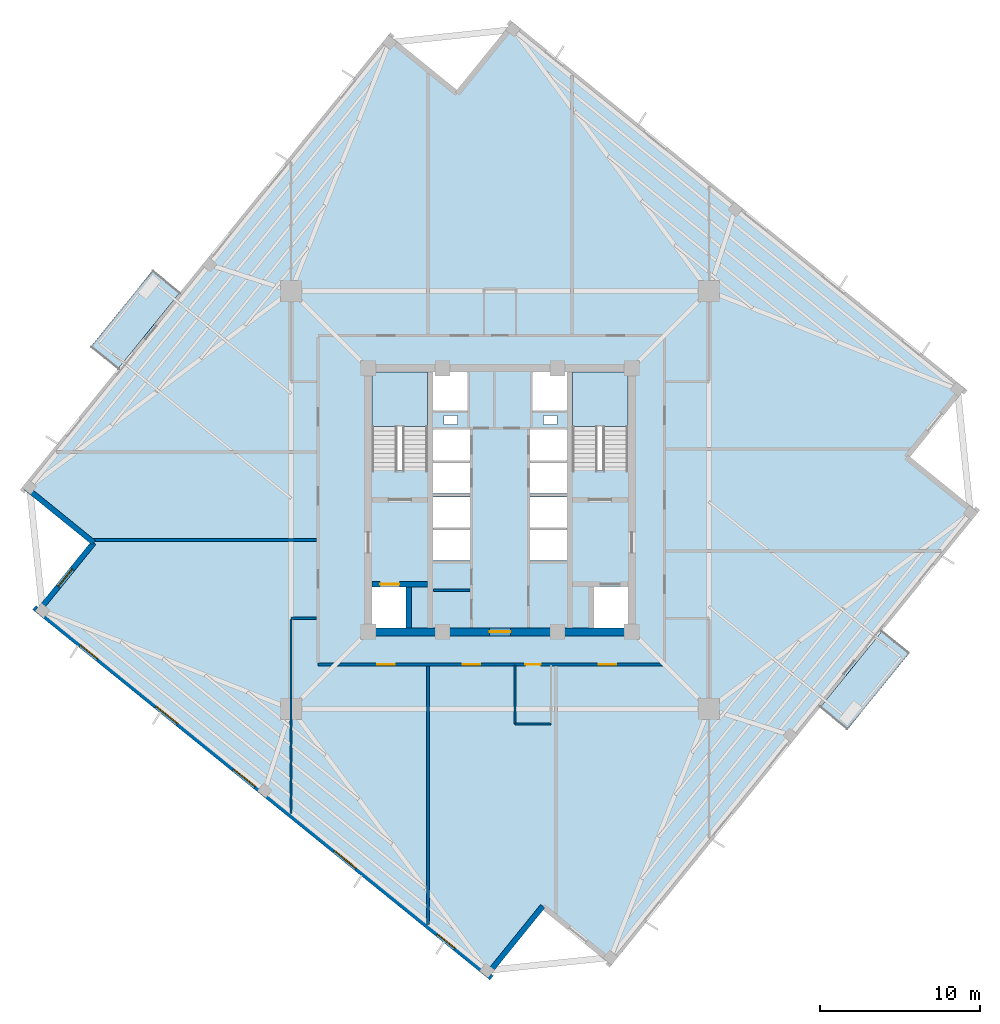
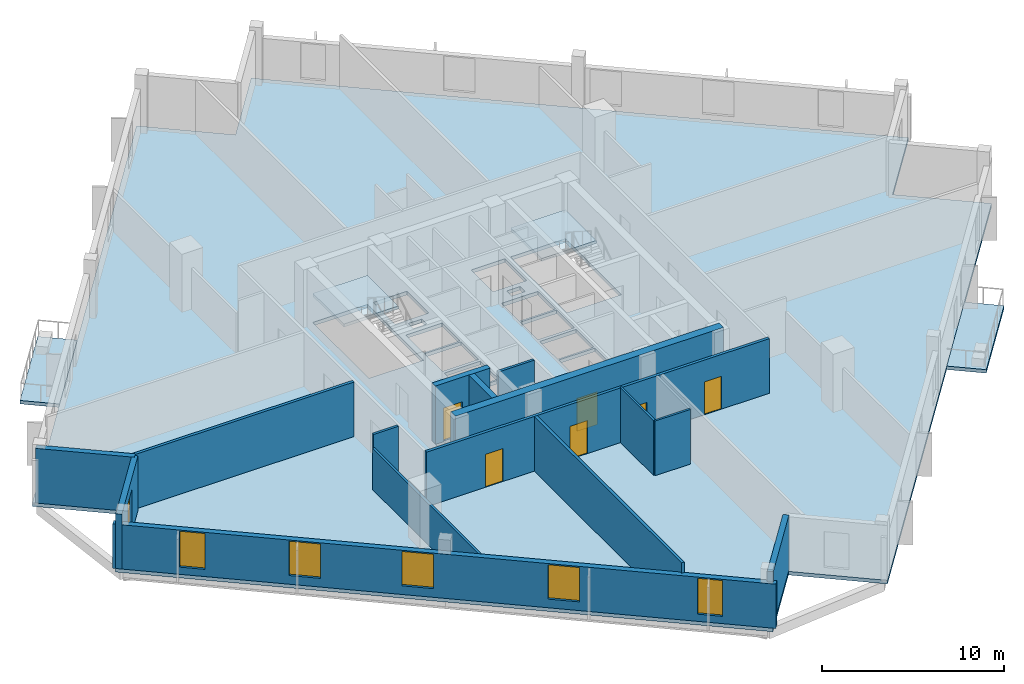
# One storey, part 2 of 9: 15 walls, 6 doors, 6 windows, 5 slabs, 12 openings, 2 elements without a shape of their own.
"""IFC4 building model written with IfcOpenShell, lengths in metres."""

from ifc_helpers import new_model, si_unit, direction, frame, frame_2d, origin, place, context, subcontext, project, spatial, polyline, rectangle, outline, extrude, source, transform, mapped, material, layer, layer_set, type_object, element, fill, aggregate, save


model = new_model("IFC4")

# Units and contexts
model_context = context("Model", 3, precision=1e-05, world=origin(), true_north=direction((0.0, 1.0)))
body_context = subcontext(model_context, "Body", "Model", "MODEL_VIEW")
ifc_project = project(units=[si_unit("LENGTHUNIT", "METRE"), si_unit("AREAUNIT", "SQUARE_METRE"), si_unit("VOLUMEUNIT", "CUBIC_METRE"), si_unit("PLANEANGLEUNIT", "RADIAN"), si_unit("MASSUNIT", "GRAM", prefix="KILO"), si_unit("THERMODYNAMICTEMPERATUREUNIT", "KELVIN")], contexts=[model_context])

# Site, building, storey
site_placement = place(None, origin())
site = spatial("IfcSite", under=ifc_project, at=site_placement, CompositionType="ELEMENT")
building_placement = place(site_placement, origin())
building = spatial("IfcBuilding", under=site, at=building_placement, Name="Kosmvard Interchange Tower", CompositionType="ELEMENT")
storey_placement = place(building_placement, frame((0.0, 0.0, 232.89990234375)))
storey = spatial("IfcBuildingStorey", under=building, at=storey_placement, Name="L56", CompositionType="ELEMENT", Elevation=232.89990234375)

# Slab
ifc_material_1 = material(Name="Concrete C50/60", Category="concrete")
ifc_layer_1 = layer(ifc_material_1, 0.239990234375, Name="Concrete C50/60")
ifc_layer_set_1 = layer_set([ifc_layer_1], Name="Concrete C50/60")
slab_type_1 = type_object("IfcSlabType", Name="High-Rise Suite Composite Slab 240 C50/60", PredefinedType="FLOOR", material=ifc_layer_set_1)
slab_1_placement = place(storey_placement, frame((0.0, 0.0, -0.239990234375)))
element("IfcSlab", 1, at=slab_1_placement, inside=storey, type_object=slab_type_1, Name="L56 Structural Floor Slab", PredefinedType="FLOOR", context=body_context, shape_type="SweptSolid", body=[
    extrude(outline(polyline([(6.97216796875, -29.12939453125), (29.9423828125, -0.763427734375), (25.66796875, 2.69775390625), (29.12939453125, 6.97216796875), (0.763427734375, 29.9423828125), (-2.69775390625, 25.66796875), (-6.97216796875, 29.12939453125), (-29.9423828125, 0.763427734375), (-25.66796875, -2.69775390625), (-29.12939453125, -6.97216796875), (-0.763427734375, -29.9423828125), (2.69775390625, -25.66796875), (6.97216796875, -29.12939453125)]), holes=[polyline([(-8.0, 1.8349609375), (-4.5400390625, 1.8349609375), (-4.5400390625, 8.0), (-8.0, 8.0), (-8.0, 1.8349609375)]), polyline([(4.5400390625, 1.8349609375), (8.0, 1.8349609375), (8.0, 8.0), (4.5400390625, 8.0), (4.5400390625, 1.8349609375)]), polyline([(-8.0, -8.0), (-5.800048828125, -8.0), (-5.800048828125, -5.39990234375), (-8.0, -5.39990234375), (-8.0, -8.0)]), polyline([(5.800048828125, -8.0), (8.0, -8.0), (8.0, -5.39990234375), (5.800048828125, -5.39990234375), (5.800048828125, -8.0)]), polyline([(-4.179931640625, -3.800048828125), (-1.8798828125, -3.800048828125), (-1.8798828125, -1.860107421875), (-4.179931640625, -1.860107421875), (-4.179931640625, -3.800048828125)]), polyline([(-4.179931640625, -1.739990234375), (-1.8798828125, -1.739990234375), (-1.8798828125, 0.199951171875), (-4.179931640625, 0.199951171875), (-4.179931640625, -1.739990234375)]), polyline([(1.8798828125, -3.800048828125), (4.179931640625, -3.800048828125), (4.179931640625, -1.860107421875), (1.8798828125, -1.860107421875), (1.8798828125, -3.800048828125)]), polyline([(1.8798828125, -1.739990234375), (4.179931640625, -1.739990234375), (4.179931640625, 0.199951171875), (1.8798828125, 0.199951171875), (1.8798828125, -1.739990234375)]), polyline([(-4.179931640625, 0.39990234375), (-1.8798828125, 0.39990234375), (-1.8798828125, 2.340087890625), (-4.179931640625, 2.340087890625), (-4.179931640625, 0.39990234375)]), polyline([(-4.179931640625, 2.4599609375), (-1.8798828125, 2.4599609375), (-1.8798828125, 4.39990234375), (-4.179931640625, 4.39990234375), (-4.179931640625, 2.4599609375)]), polyline([(1.8798828125, 0.39990234375), (4.179931640625, 0.39990234375), (4.179931640625, 2.340087890625), (1.8798828125, 2.340087890625), (1.8798828125, 0.39990234375)]), polyline([(1.8798828125, 2.4599609375), (4.179931640625, 2.4599609375), (4.179931640625, 4.39990234375), (1.8798828125, 4.39990234375), (1.8798828125, 2.4599609375)]), polyline([(-4.179931640625, 5.60009765625), (-2.0400390625, 5.60009765625), (-2.0400390625, 8.0), (-4.179931640625, 8.0), (-4.179931640625, 5.60009765625)]), polyline([(2.0400390625, 5.60009765625), (4.179931640625, 5.60009765625), (4.179931640625, 8.0), (2.0400390625, 8.0), (2.0400390625, 5.60009765625)]), polyline([(-3.514892578125, 4.739990234375), (-2.6650390625, 4.739990234375), (-2.6650390625, 5.2900390625), (-3.514892578125, 5.2900390625), (-3.514892578125, 4.739990234375)]), polyline([(2.715087890625, 4.739990234375), (3.56494140625, 4.739990234375), (3.56494140625, 5.2900390625), (2.715087890625, 5.2900390625), (2.715087890625, 4.739990234375)])]), origin(), (0.0, 0.0, 1.0), 0.239990234375),
])

# Stair, slab
stair_type = type_object("IfcStairType", Name="Dog-Leg Core Exit Stair H3900 C50/60", PredefinedType="HALF_TURN_STAIR", material=ifc_material_1)
stair_1_placement = place(storey_placement, origin())
stair_1 = element("IfcStair", 2, at=stair_1_placement, inside=storey, type_object=stair_type, Name="L56 Protected Exit Stair ST-1", PredefinedType="HALF_TURN_STAIR")
ifc_layer_2 = layer(ifc_material_1, 0.199951171875, Name="Concrete C50/60")
ifc_layer_set_2 = layer_set([ifc_layer_2], Name="Concrete C50/60")
slab_type_2 = type_object("IfcSlabType", Name="Stair Half-Landing Slab 200 C50/60", PredefinedType="LANDING", material=ifc_layer_set_2)
slab_2_placement = place(storey_placement, frame((0.0, 0.0, 1.75)))
slab_2 = element("IfcSlab", 3, at=slab_2_placement, type_object=slab_type_2, Name="ST-1 landing 1", PredefinedType="LANDING", context=body_context, shape_type="SweptSolid", body=[
    extrude(outline(polyline([(-4.5400390625, 4.60009765625), (-4.5400390625, 8.0), (-8.0, 8.0), (-8.0, 4.60009765625), (-4.5400390625, 4.60009765625)])), origin(), (0.0, 0.0, 1.0), 0.2001953125),
])
aggregate(stair_1, [slab_2])

stair_2_placement = place(storey_placement, origin())
stair_2 = element("IfcStair", 4, at=stair_2_placement, inside=storey, type_object=stair_type, Name="L56 Protected Exit Stair ST-2", PredefinedType="HALF_TURN_STAIR")
slab_3_placement = place(storey_placement, frame((0.0, 0.0, 1.75)))
slab_3 = element("IfcSlab", 5, at=slab_3_placement, type_object=slab_type_2, Name="ST-2 landing 1", PredefinedType="LANDING", context=body_context, shape_type="SweptSolid", body=[
    extrude(outline(polyline([(8.0, 4.60009765625), (8.0, 8.0), (4.5400390625, 8.0), (4.5400390625, 4.60009765625), (8.0, 4.60009765625)])), origin(), (0.0, 0.0, 1.0), 0.2001953125),
])
aggregate(stair_2, [slab_3])

# Slabs
ifc_layer_3 = layer(ifc_material_1, 0.22998046875, Name="Concrete C50/60")
ifc_layer_set_3 = layer_set([ifc_layer_3], Name="Concrete C50/60")
slab_type_3 = type_object("IfcSlabType", Name="Tree-Planter Cantilever Balcony Slab 230 C50/60", PredefinedType="FLOOR", material=ifc_layer_set_3)
slab_4_placement = place(storey_placement, frame((0.0, 0.0, -0.22998046875)))
element("IfcSlab", 6, at=slab_4_placement, inside=storey, type_object=slab_type_3, Name="L56 Outdoor Terrace Balcony Slab BAL-L56-NE", PredefinedType="FLOOR", context=body_context, shape_type="SweptSolid", body=[
    extrude(outline(polyline([(-23.932373046875, 8.185302734375), (-20.030517578125, 13.00341796875), (-21.740234375, 14.387939453125), (-25.64208984375, 9.569580078125), (-23.932373046875, 8.185302734375)])), origin(), (0.0, 0.0, 1.0), 0.22998046875),
])
slab_5_placement = place(storey_placement, frame((0.0, 0.0, -0.22998046875)))
element("IfcSlab", 7, at=slab_5_placement, inside=storey, type_object=slab_type_3, Name="L56 Outdoor Terrace Balcony Slab BAL-L56-SW", PredefinedType="FLOOR", context=body_context, shape_type="SweptSolid", body=[
    extrude(outline(polyline([(21.740234375, -14.387939453125), (25.64208984375, -9.569580078125), (23.932373046875, -8.185302734375), (20.030517578125, -13.00341796875), (21.740234375, -14.387939453125)])), origin(), (0.0, 0.0, 1.0), 0.22998046875),
])

# Walls
ifc_material_2 = material(Name="Acoustic gypsum partition system")
ifc_layer_4 = layer(ifc_material_2, 0.14990234375, Name="Acoustic gypsum partition system")
ifc_layer_set_4 = layer_set([ifc_layer_4], Name="Acoustic gypsum partition system")
wall_type_1 = type_object("IfcWallType", Name="Acoustic Suite & Meeting Partition 150", PredefinedType="PARTITIONING", material=ifc_layer_set_4)
wall_1_placement = place(storey_placement, frame((-11.4951171875, -7.39990234375, 0.0), z_axis=(0.0, 0.0, 1.0), x_axis=(-1.0, 0.0, 0.0)))
element("IfcWall", 8, at=wall_1_placement, inside=storey, type_object=wall_type_1, Name="L56 Room Partition 15.1", PredefinedType="PARTITIONING", context=body_context, shape_type="SweptSolid", body=[
    extrude(rectangle(XDim=1.5859375, YDim=0.14990234375, at=frame_2d((0.79296875, 0.0))), origin(), (0.0, 0.0, 1.0), 3.66015625),
])
wall_2_placement = place(storey_placement, frame((-13.0810546875, -7.47509765625, 0.0), z_axis=(0.0, 0.0, 1.0), x_axis=(0.0, -1.0, 0.0)))
element("IfcWall", 9, at=wall_2_placement, inside=storey, type_object=wall_type_1, Name="L56 Room Partition 16.1", PredefinedType="PARTITIONING", context=body_context, shape_type="SweptSolid", body=[
    extrude(rectangle(XDim=12.138916015625, YDim=0.14990234375, at=frame_2d((6.0693359375, 0.0))), origin(), (0.0, 0.0, 1.0), 2.760009765625),
])
ifc_material_3 = material(Name="Fire-rated gypsum partition system")
ifc_layer_5 = layer(ifc_material_3, 0.159912109375, Name="Fire-rated gypsum partition system")
ifc_layer_set_5 = layer_set([ifc_layer_5], Name="Fire-rated gypsum partition system")
wall_type_2 = type_object("IfcWallType", Name="Core Compartment & Shuttle Lobby Partition 160", PredefinedType="PARTITIONING", material=ifc_layer_set_5)
wall_3_placement = place(storey_placement, frame((-4.169921875, -5.64990234375, 0.0), z_axis=(0.0, 0.0, 1.0), x_axis=(1.0, 0.0, 0.0)))
element("IfcWall", 10, at=wall_3_placement, inside=storey, type_object=wall_type_2, Name="L56 Reclaimed Split W", PredefinedType="PARTITIONING", context=body_context, shape_type="SweptSolid", body=[
    extrude(rectangle(XDim=2.280029296875, YDim=0.159912109375, at=frame_2d((1.14013671875, 0.0))), origin(), (0.0, 0.0, 1.0), 3.66015625),
])

# Wall, openings, doors
ifc_layer_6 = layer(ifc_material_3, 0.179931640625, Name="Fire-rated gypsum partition system")
ifc_layer_set_6 = layer_set([ifc_layer_6], Name="Fire-rated gypsum partition system")
wall_type_3 = type_object("IfcWallType", Name="Corridor & Hotel Compartment Partition 180", PredefinedType="PARTITIONING", material=ifc_layer_set_6)
wall_4_placement = place(storey_placement, frame((-11.39990234375, -10.300048828125, 0.0), z_axis=(0.0, 0.0, 1.0), x_axis=(1.0, 0.0, 0.0)))
wall_4 = element("IfcWall", 11, at=wall_4_placement, inside=storey, type_object=wall_type_3, Name="L56 Corridor Wall CS", PredefinedType="PARTITIONING", context=body_context, shape_type="SweptSolid", body=[
    extrude(rectangle(XDim=21.699951171875, YDim=0.179931640625, at=frame_2d((10.85009765625, 0.0))), origin(), (0.0, 0.0, 1.0), 3.66015625),
])
opening_1_placement = place(wall_4_placement, frame((12.989013671875, 0.0, 0.0)))
opening_1 = element("IfcOpeningElement", 12, at=opening_1_placement, cuts=wall_4, Name="Opening L56-D02", PredefinedType="OPENING", context=body_context, shape_type="SweptSolid", body=[
    extrude(rectangle(XDim=0.949951171875, YDim=2.10009765625, at=frame_2d((0.47509765625, 1.050048828125))), frame((0.0, 0.10009765625, 0.0), z_axis=(0.0, -1.0, 0.0), x_axis=(1.0, 0.0, 0.0)), (0.0, 0.0, 1.0), 0.199951171875),
])
opening_2_placement = place(wall_4_placement, frame((17.58544921875, 0.0, 0.0)))
opening_2 = element("IfcOpeningElement", 13, at=opening_2_placement, cuts=wall_4, Name="Opening L56-D10", PredefinedType="OPENING", context=body_context, shape_type="SweptSolid", body=[
    extrude(rectangle(XDim=1.10009765625, YDim=2.199951171875, at=frame_2d((0.550048828125, 1.10009765625))), frame((0.0, 0.10009765625, 0.0), z_axis=(0.0, -1.0, 0.0), x_axis=(1.0, 0.0, 0.0)), (0.0, 0.0, 1.0), 0.199951171875),
])
opening_3_placement = place(wall_4_placement, frame((9.075439453125, 0.0, 0.0)))
opening_3 = element("IfcOpeningElement", 14, at=opening_3_placement, cuts=wall_4, Name="Opening L56-D11", PredefinedType="OPENING", context=body_context, shape_type="SweptSolid", body=[
    extrude(rectangle(XDim=1.10009765625, YDim=2.199951171875, at=frame_2d((0.550048828125, 1.10009765625))), frame((0.0, 0.10009765625, 0.0), z_axis=(0.0, -1.0, 0.0), x_axis=(1.0, 0.0, 0.0)), (0.0, 0.0, 1.0), 0.199951171875),
])
opening_4_placement = place(wall_4_placement, frame((3.724365234375, 0.0, 0.0)))
opening_4 = element("IfcOpeningElement", 15, at=opening_4_placement, cuts=wall_4, Name="Opening L56-D12", PredefinedType="OPENING", context=body_context, shape_type="SweptSolid", body=[
    extrude(rectangle(XDim=1.10009765625, YDim=2.199951171875, at=frame_2d((0.550048828125, 1.10009765625))), frame((0.0, 0.10009765625, 0.0), z_axis=(0.0, -1.0, 0.0), x_axis=(1.0, 0.0, 0.0)), (0.0, 0.0, 1.0), 0.199951171875),
])
ifc_material_4 = material(Name="Laminated moisture-resistant timber", Category="wood")
door_type_1 = type_object("IfcDoorType", Name="Accessible Washroom Door 950x2100", OperationType="NOTDEFINED", PredefinedType="DOOR", material=ifc_material_4)
shared_shape_1 = source(origin(), body_context, "Body", "SweptSolid", [
    extrude(rectangle(XDim=0.949951171875, YDim=2.10009765625, at=frame_2d((0.47509765625, 1.050048828125))), frame((0.0, 0.02490234375, 0.0), z_axis=(0.0, -1.0, 0.0), x_axis=(1.0, 0.0, 0.0)), (0.0, 0.0, 1.0), 0.050048828125),
])
door_1_placement = place(opening_1_placement, frame((0.949951171875, 0.0, 0.0), z_axis=(0.0, 0.0, 1.0), x_axis=(-1.0, 0.0, 0.0)))
door_1 = element("IfcDoor", 16, at=door_1_placement, inside=storey, type_object=door_type_1, Name="L56 Public Floor Washroom Door", OperationType="SINGLE_SWING_RIGHT", OverallHeight=2.10009765625, OverallWidth=0.949951171875, PredefinedType="DOOR", context=body_context, shape_type="MappedRepresentation", body=[
    mapped(shared_shape_1, transform((0.0, 0.0, 0.0), scale=1.0)),
])
fill(opening_1, door_1)
ifc_material_5 = material(Name="Engineered oak fire-rated timber", Category="wood")
door_type_2 = type_object("IfcDoorType", Name="Office Suite Entrance Door 1100x2200 FD30S", OperationType="NOTDEFINED", PredefinedType="DOOR", material=ifc_material_5)
shared_shape_2 = source(origin(), body_context, "Body", "SweptSolid", [
    extrude(rectangle(XDim=1.10009765625, YDim=2.199951171875, at=frame_2d((0.550048828125, 1.10009765625))), frame((0.0, 0.02490234375, 0.0), z_axis=(0.0, -1.0, 0.0), x_axis=(1.0, 0.0, 0.0)), (0.0, 0.0, 1.0), 0.050048828125),
])
door_2_placement = place(opening_2_placement, frame((1.10009765625, 0.0, 0.0), z_axis=(0.0, 0.0, 1.0), x_axis=(-1.0, 0.0, 0.0)))
door_2 = element("IfcDoor", 17, at=door_2_placement, inside=storey, type_object=door_type_2, Name="L56 Sky Floor Reception Door", OperationType="SINGLE_SWING_RIGHT", OverallHeight=2.199951171875, OverallWidth=1.10009765625, PredefinedType="DOOR", context=body_context, shape_type="MappedRepresentation", body=[
    mapped(shared_shape_2, transform((0.0, 0.0, 0.0), scale=1.0)),
])
fill(opening_2, door_2)
door_3_placement = place(opening_3_placement, frame((1.10009765625, 0.0, 0.0), z_axis=(0.0, 0.0, 1.0), x_axis=(-1.0, 0.0, 0.0)))
door_3 = element("IfcDoor", 18, at=door_3_placement, inside=storey, type_object=door_type_2, Name="L56 South-West Corner Office Door", OperationType="SINGLE_SWING_LEFT", OverallHeight=2.199951171875, OverallWidth=1.10009765625, PredefinedType="DOOR", context=body_context, shape_type="MappedRepresentation", body=[
    mapped(shared_shape_2, transform((0.0, 0.0, 0.0), scale=1.0)),
])
fill(opening_3, door_3)
door_4_placement = place(opening_4_placement, frame((1.10009765625, 0.0, 0.0), z_axis=(0.0, 0.0, 1.0), x_axis=(-1.0, 0.0, 0.0)))
door_4 = element("IfcDoor", 19, at=door_4_placement, inside=storey, type_object=door_type_2, Name="L56 Executive Tea Pantry Door", OperationType="SINGLE_SWING_RIGHT", OverallHeight=2.199951171875, OverallWidth=1.10009765625, PredefinedType="DOOR", context=body_context, shape_type="MappedRepresentation", body=[
    mapped(shared_shape_2, transform((0.0, 0.0, 0.0), scale=1.0)),
])
fill(opening_4, door_4)

# Walls
wall_5_placement = place(storey_placement, frame((-4.5, -10.39501953125, 0.0), z_axis=(0.0, 0.0, 1.0), x_axis=(0.0, -1.0, 0.0)))
element("IfcWall", 20, at=wall_5_placement, inside=storey, type_object=wall_type_3, Name="L56 Room Partition 06.1", PredefinedType="PARTITIONING", context=body_context, shape_type="SweptSolid", body=[
    extrude(rectangle(XDim=16.167724609375, YDim=0.179931640625, at=frame_2d((8.083984375, 0.0))), origin(), (0.0, 0.0, 1.0), 3.66015625),
])
wall_6_placement = place(storey_placement, frame((-11.4951171875, -2.5, 0.0), z_axis=(0.0, 0.0, 1.0), x_axis=(-1.0, 0.0, 0.0)))
element("IfcWall", 21, at=wall_6_placement, inside=storey, type_object=wall_type_3, Name="L56 Room Partition 07.1", PredefinedType="PARTITIONING", context=body_context, shape_type="SweptSolid", body=[
    extrude(rectangle(XDim=13.980224609375, YDim=0.179931640625, at=frame_2d((6.990234375, 0.0))), origin(), (0.0, 0.0, 1.0), 3.66015625),
])
ifc_material_6 = material(Name="Precast concrete C45/55", Category="concrete")
ifc_layer_7 = layer(ifc_material_6, 0.340087890625, Name="Precast concrete C45/55")
ifc_layer_set_7 = layer_set([ifc_layer_7], Name="Precast concrete C45/55")
wall_type_4 = type_object("IfcWallType", Name="Mid Tower Precast Pier Wall 340 C45/55", PredefinedType="STANDARD", material=ifc_layer_set_7)
wall_7_placement = place(storey_placement, frame((-29.703125, 0.78857421875, 0.0), z_axis=(0.0, 0.0, 1.0), x_axis=(0.77714355312, -0.629323365087, 0.0)))
element("IfcWall", 22, at=wall_7_placement, inside=storey, type_object=wall_type_4, Name="L56 Precast Facade Wall N-NW1", PredefinedType="STANDARD", context=body_context, shape_type="SweptSolid", body=[
    extrude(rectangle(XDim=5.499755859375, YDim=0.340087890625, at=frame_2d((2.75, 0.0))), origin(), (0.0, 0.0, 1.0), 3.66015625),
])

# Wall, opening, window
wall_8_placement = place(storey_placement, frame((-25.428955078125, -2.672607421875, 0.0), z_axis=(0.0, 0.0, 1.0), x_axis=(-0.629299794138, -0.777162640055, 0.0)))
wall_8 = element("IfcWall", 23, at=wall_8_placement, inside=storey, type_object=wall_type_4, Name="L56 Precast Facade Wall N-NW2", PredefinedType="STANDARD", context=body_context, shape_type="SweptSolid", body=[
    extrude(rectangle(XDim=5.669921875, YDim=0.340087890625, at=frame_2d((2.8349609375, 0.0))), origin(), (0.0, 0.0, 1.0), 3.66015625),
])
opening_5_placement = place(wall_8_placement, frame((2.135009765625, 0.0, 0.47998046875)))
opening_5 = element("IfcOpeningElement", 24, at=opening_5_placement, cuts=wall_8, Name="Opening L56-W22", PredefinedType="OPENING", context=body_context, shape_type="SweptSolid", body=[
    extrude(rectangle(XDim=1.39990234375, YDim=2.39990234375, at=frame_2d((0.699951171875, 1.199951171875))), frame((0.0, 0.18017578125, 0.0), z_axis=(0.0, -1.0, 0.0), x_axis=(1.0, 0.0, 0.0)), (0.0, 0.0, 1.0), 0.360107421875),
])
ifc_material_7 = material(Name="Low-E solar-control double glazing", Category="glass")
window_type_1 = type_object("IfcWindowType", Name="Notched Corner Feature Window 1400x2400", PartitioningType="SINGLE_PANEL", PredefinedType="WINDOW", material=ifc_material_7)
shared_shape_3 = source(origin(), body_context, "Body", "SweptSolid", [
    extrude(rectangle(XDim=1.39990234375, YDim=2.39990234375, at=frame_2d((0.699951171875, 1.199951171875))), frame((0.0, 0.030029296875, 0.0), z_axis=(0.0, -1.0, 0.0), x_axis=(1.0, 0.0, 0.0)), (0.0, 0.0, 1.0), 0.06005859375),
])
window_1_placement = place(opening_5_placement, origin())
window_1 = element("IfcWindow", 25, at=window_1_placement, inside=storey, type_object=window_type_1, Name="L56 Corner Notch Window 22", OverallHeight=2.39990234375, OverallWidth=1.39990234375, PartitioningType="SINGLE_PANEL", PredefinedType="WINDOW", context=body_context, shape_type="MappedRepresentation", body=[
    mapped(shared_shape_3, transform((0.0, 0.0, 0.0), scale=1.0)),
])
fill(opening_5, window_1)

# Wall, openings, windows
wall_9_placement = place(storey_placement, frame((-29.154296875, -6.73291015625, 0.0), z_axis=(0.0, 0.0, 1.0), x_axis=(0.77714192302, -0.629325378072, 0.0)))
wall_9 = element("IfcWall", 26, at=wall_9_placement, inside=storey, type_object=wall_type_4, Name="L56 Precast Facade Wall F-W", PredefinedType="STANDARD", context=body_context, shape_type="SweptSolid", body=[
    extrude(rectangle(XDim=36.840087890625, YDim=0.340087890625, at=frame_2d((18.419921875, 0.0))), origin(), (0.0, 0.0, 1.0), 2.960205078125),
])
opening_6_placement = place(wall_9_placement, frame((3.720703125, 0.0, 0.47998046875)))
opening_6 = element("IfcOpeningElement", 27, at=opening_6_placement, cuts=wall_9, Name="Opening L56-W16", PredefinedType="OPENING", context=body_context, shape_type="SweptSolid", body=[
    extrude(rectangle(XDim=1.39990234375, YDim=2.39990234375, at=frame_2d((0.699951171875, 1.199951171875))), frame((0.0, 0.18017578125, 0.0), z_axis=(0.0, -1.0, 0.0), x_axis=(1.0, 0.0, 0.0)), (0.0, 0.0, 1.0), 0.360107421875),
])
opening_7_placement = place(wall_9_placement, frame((9.80859375, 0.0, 0.580078125)))
opening_7 = element("IfcOpeningElement", 28, at=opening_7_placement, cuts=wall_9, Name="Opening L56-W17", PredefinedType="OPENING", context=body_context, shape_type="SweptSolid", body=[
    extrude(rectangle(XDim=1.75, YDim=2.300048828125, at=frame_2d((0.875, 1.14990234375))), frame((0.0, 0.18017578125, 0.0), z_axis=(0.0, -1.0, 0.0), x_axis=(1.0, 0.0, 0.0)), (0.0, 0.0, 1.0), 0.360107421875),
])
opening_8_placement = place(wall_9_placement, frame((16.05810546875, 0.0, 0.580078125)))
opening_8 = element("IfcOpeningElement", 29, at=opening_8_placement, cuts=wall_9, Name="Opening L56-W18", PredefinedType="OPENING", context=body_context, shape_type="SweptSolid", body=[
    extrude(rectangle(XDim=1.75, YDim=2.300048828125, at=frame_2d((0.875, 1.14990234375))), frame((0.0, 0.18017578125, 0.0), z_axis=(0.0, -1.0, 0.0), x_axis=(1.0, 0.0, 0.0)), (0.0, 0.0, 1.0), 0.360107421875),
])
opening_9_placement = place(wall_9_placement, frame((24.17626953125, 0.0, 0.580078125)))
opening_9 = element("IfcOpeningElement", 30, at=opening_9_placement, cuts=wall_9, Name="Opening L56-W19", PredefinedType="OPENING", context=body_context, shape_type="SweptSolid", body=[
    extrude(rectangle(XDim=1.75, YDim=2.300048828125, at=frame_2d((0.875, 1.14990234375))), frame((0.0, 0.18017578125, 0.0), z_axis=(0.0, -1.0, 0.0), x_axis=(1.0, 0.0, 0.0)), (0.0, 0.0, 1.0), 0.360107421875),
])
opening_10_placement = place(wall_9_placement, frame((32.482421875, 0.0, 0.47998046875)))
opening_10 = element("IfcOpeningElement", 31, at=opening_10_placement, cuts=wall_9, Name="Opening L56-W20", PredefinedType="OPENING", context=body_context, shape_type="SweptSolid", body=[
    extrude(rectangle(XDim=1.39990234375, YDim=2.39990234375, at=frame_2d((0.699951171875, 1.199951171875))), frame((0.0, 0.18017578125, 0.0), z_axis=(0.0, -1.0, 0.0), x_axis=(1.0, 0.0, 0.0)), (0.0, 0.0, 1.0), 0.360107421875),
])
window_2_placement = place(opening_6_placement, origin())
window_2 = element("IfcWindow", 32, at=window_2_placement, inside=storey, type_object=window_type_1, Name="L56 Facade Punched Window 16", OverallHeight=2.39990234375, OverallWidth=1.39990234375, PartitioningType="SINGLE_PANEL", PredefinedType="WINDOW", context=body_context, shape_type="MappedRepresentation", body=[
    mapped(shared_shape_3, transform((0.0, 0.0, 0.0), scale=1.0)),
])
fill(opening_6, window_2)
window_3_placement = place(opening_10_placement, origin())
window_3 = element("IfcWindow", 33, at=window_3_placement, inside=storey, type_object=window_type_1, Name="L56 Facade Punched Window 20", OverallHeight=2.39990234375, OverallWidth=1.39990234375, PartitioningType="SINGLE_PANEL", PredefinedType="WINDOW", context=body_context, shape_type="MappedRepresentation", body=[
    mapped(shared_shape_3, transform((0.0, 0.0, 0.0), scale=1.0)),
])
fill(opening_10, window_3)
window_type_2 = type_object("IfcWindowType", Name="Zone 4 Suite Punched Window 1750x2300", PartitioningType="SINGLE_PANEL", PredefinedType="WINDOW", material=ifc_material_7)
shared_shape_4 = source(origin(), body_context, "Body", "SweptSolid", [
    extrude(rectangle(XDim=1.75, YDim=2.300048828125, at=frame_2d((0.875, 1.14990234375))), frame((0.0, 0.030029296875, 0.0), z_axis=(0.0, -1.0, 0.0), x_axis=(1.0, 0.0, 0.0)), (0.0, 0.0, 1.0), 0.06005859375),
])
window_4_placement = place(opening_7_placement, origin())
window_4 = element("IfcWindow", 34, at=window_4_placement, inside=storey, type_object=window_type_2, Name="L56 Facade Punched Window 17", OverallHeight=2.300048828125, OverallWidth=1.75, PartitioningType="SINGLE_PANEL", PredefinedType="WINDOW", context=body_context, shape_type="MappedRepresentation", body=[
    mapped(shared_shape_4, transform((0.0, 0.0, 0.0), scale=1.0)),
])
fill(opening_7, window_4)
window_5_placement = place(opening_8_placement, origin())
window_5 = element("IfcWindow", 35, at=window_5_placement, inside=storey, type_object=window_type_2, Name="L56 Facade Punched Window 18", OverallHeight=2.300048828125, OverallWidth=1.75, PartitioningType="SINGLE_PANEL", PredefinedType="WINDOW", context=body_context, shape_type="MappedRepresentation", body=[
    mapped(shared_shape_4, transform((0.0, 0.0, 0.0), scale=1.0)),
])
fill(opening_8, window_5)
window_6_placement = place(opening_9_placement, origin())
window_6 = element("IfcWindow", 36, at=window_6_placement, inside=storey, type_object=window_type_2, Name="L56 Facade Punched Window 19", OverallHeight=2.300048828125, OverallWidth=1.75, PartitioningType="SINGLE_PANEL", PredefinedType="WINDOW", context=body_context, shape_type="MappedRepresentation", body=[
    mapped(shared_shape_4, transform((0.0, 0.0, 0.0), scale=1.0)),
])
fill(opening_9, window_6)

# Wall
wall_10_placement = place(storey_placement, frame((-0.78857421875, -29.703125, 0.0), z_axis=(0.0, 0.0, 1.0), x_axis=(0.629323365087, 0.77714355312, 0.0)))
element("IfcWall", 37, at=wall_10_placement, inside=storey, type_object=wall_type_4, Name="L56 Precast Facade Wall N-SW1", PredefinedType="STANDARD", context=body_context, shape_type="SweptSolid", body=[
    extrude(rectangle(XDim=5.499755859375, YDim=0.340087890625, at=frame_2d((2.75, 0.0))), origin(), (0.0, 0.0, 1.0), 3.66015625),
])

# Wall, opening, door
ifc_material_8 = material(Name="Concrete C60/75", Category="concrete")
ifc_layer_8 = layer(ifc_material_8, 0.360107421875, Name="Concrete C60/75")
ifc_layer_set_8 = layer_set([ifc_layer_8], Name="Concrete C60/75")
wall_type_5 = type_object("IfcWallType", Name="Stair & Lift Shaft Shear Wall 360 C60/75", PredefinedType="SHEAR", material=ifc_layer_set_8)
wall_11_placement = place(storey_placement, frame((-8.0, -5.280029296875, 0.0), z_axis=(0.0, 0.0, 1.0), x_axis=(1.0, 0.0, 0.0)))
wall_11 = element("IfcWall", 38, at=wall_11_placement, inside=storey, type_object=wall_type_5, Name="L56 Shaft Shear Wall SW-FF1", PredefinedType="SHEAR", context=body_context, shape_type="SweptSolid", body=[
    extrude(rectangle(XDim=3.4599609375, YDim=0.360107421875, at=frame_2d((1.72998046875, 0.0))), origin(), (0.0, 0.0, 1.0), 3.900146484375),
])
opening_11_placement = place(wall_11_placement, frame((0.5, 0.0, 0.0)))
opening_11 = element("IfcOpeningElement", 39, at=opening_11_placement, cuts=wall_11, Name="Opening LD-FF-1-L56", PredefinedType="OPENING", context=body_context, shape_type="SweptSolid", body=[
    extrude(rectangle(XDim=1.199951171875, YDim=2.25, at=frame_2d((0.60009765625, 1.125))), frame((0.0, 0.18994140625, 0.0), z_axis=(0.0, -1.0, 0.0), x_axis=(1.0, 0.0, 0.0)), (0.0, 0.0, 1.0), 0.380126953125),
])
ifc_material_9 = material(Name="Brushed stainless steel sliding leaf", Category="steel")
door_type_3 = type_object("IfcDoorType", Name="Firefighting Lift Sliding Landing Door 1200x2250 EI120", OperationType="DOUBLE_DOOR_SLIDING", PredefinedType="DOOR", material=ifc_material_9)
shared_shape_5 = source(origin(), body_context, "Body", "SweptSolid", [
    extrude(rectangle(XDim=1.199951171875, YDim=2.25, at=frame_2d((0.60009765625, 1.125))), frame((0.0, 0.02490234375, 0.0), z_axis=(0.0, -1.0, 0.0), x_axis=(1.0, 0.0, 0.0)), (0.0, 0.0, 1.0), 0.050048828125),
])
door_5_placement = place(opening_11_placement, origin())
door_5 = element("IfcDoor", 40, at=door_5_placement, inside=storey, type_object=door_type_3, Name="Lift FF-1 Landing Door L56", OperationType="DOUBLE_DOOR_SLIDING", OverallHeight=2.25, OverallWidth=1.199951171875, PredefinedType="DOOR", context=body_context, shape_type="MappedRepresentation", body=[
    mapped(shared_shape_5, transform((0.0, 0.0, 0.0), scale=1.0)),
])
fill(opening_11, door_5)

# Wall
wall_12_placement = place(storey_placement, frame((-5.7099609375, -8.0, 0.0), z_axis=(0.0, 0.0, 1.0), x_axis=(0.0, 1.0, 0.0)))
element("IfcWall", 41, at=wall_12_placement, inside=storey, type_object=wall_type_5, Name="L56 Shaft Shear Wall SW-SM1", PredefinedType="SHEAR", context=body_context, shape_type="SweptSolid", body=[
    extrude(rectangle(XDim=2.5400390625, YDim=0.360107421875, at=frame_2d((1.27001953125, 0.0))), origin(), (0.0, 0.0, 1.0), 3.900146484375),
])

# Wall, opening, door
ifc_layer_9 = layer(ifc_material_8, 0.5, Name="Concrete C60/75")
ifc_layer_set_9 = layer_set([ifc_layer_9], Name="Concrete C60/75")
wall_type_6 = type_object("IfcWallType", Name="Upper Core Shear Wall 500 C60/75", PredefinedType="SHEAR", material=ifc_layer_set_9)
wall_13_placement = place(storey_placement, frame((-8.5, -8.25, 0.0), z_axis=(0.0, 0.0, 1.0), x_axis=(1.0, 0.0, 0.0)))
wall_13 = element("IfcWall", 42, at=wall_13_placement, inside=storey, type_object=wall_type_6, Name="L56 Core Shear Wall CW-S", PredefinedType="SHEAR", context=body_context, shape_type="SweptSolid", body=[
    extrude(rectangle(XDim=17.0, YDim=0.5, at=frame_2d((8.5, 0.0))), origin(), (0.0, 0.0, 1.0), 3.900146484375),
])
opening_12_placement = place(wall_13_placement, frame((7.85009765625, 0.0, 0.0)))
opening_12 = element("IfcOpeningElement", 43, at=opening_12_placement, cuts=wall_13, Name="Opening L56-LD0", PredefinedType="OPENING", context=body_context, shape_type="SweptSolid", body=[
    extrude(rectangle(XDim=1.300048828125, YDim=2.199951171875, at=frame_2d((0.64990234375, 1.10009765625))), frame((0.0, 0.260009765625, 0.0), z_axis=(0.0, -1.0, 0.0), x_axis=(1.0, 0.0, 0.0)), (0.0, 0.0, 1.0), 0.52001953125),
])
ifc_material_10 = material(Name="Painted fire-rated steel leaf", Category="steel")
door_type_4 = type_object("IfcDoorType", Name="Firefighting Lobby Door 1300x2200 EI60", OperationType="NOTDEFINED", PredefinedType="DOOR", material=ifc_material_10)
shared_shape_6 = source(origin(), body_context, "Body", "SweptSolid", [
    extrude(rectangle(XDim=1.300048828125, YDim=2.199951171875, at=frame_2d((0.64990234375, 1.10009765625))), frame((0.0, 0.02490234375, 0.0), z_axis=(0.0, -1.0, 0.0), x_axis=(1.0, 0.0, 0.0)), (0.0, 0.0, 1.0), 0.050048828125),
])
door_6_placement = place(opening_12_placement, frame((1.300048828125, 0.0, 0.0), z_axis=(0.0, 0.0, 1.0), x_axis=(-1.0, 0.0, 0.0)))
door_6 = element("IfcDoor", 44, at=door_6_placement, inside=storey, type_object=door_type_4, Name="L56 Passenger Lift Lobby South Door", OperationType="SINGLE_SWING_LEFT", OverallHeight=2.199951171875, OverallWidth=1.300048828125, PredefinedType="DOOR", context=body_context, shape_type="MappedRepresentation", body=[
    mapped(shared_shape_6, transform((0.0, 0.0, 0.0), scale=1.0)),
])
fill(opening_12, door_6)

# Walls
ifc_material_11 = material(Name="Moisture-resistant gypsum partition")
ifc_layer_10 = layer(ifc_material_11, 0.135009765625, Name="Moisture-resistant gypsum partition")
ifc_layer_set_10 = layer_set([ifc_layer_10], Name="Moisture-resistant gypsum partition")
wall_type_7 = type_object("IfcWallType", Name="Wet Room Moisture-Resistant Partition 135", PredefinedType="PARTITIONING", material=ifc_layer_set_10)
wall_14_placement = place(storey_placement, frame((0.93896484375, -14.02001953125, 0.0), z_axis=(0.0, 0.0, 1.0), x_axis=(1.0, 0.0, 0.0)))
element("IfcWall", 45, at=wall_14_placement, inside=storey, type_object=wall_type_7, Name="L56 Washroom Partition WC1-S", PredefinedType="PARTITIONING", context=body_context, shape_type="SweptSolid", body=[
    extrude(rectangle(XDim=2.25, YDim=0.135009765625, at=frame_2d((1.125, 0.0))), origin(), (0.0, 0.0, 1.0), 3.66015625),
])
wall_15_placement = place(storey_placement, frame((0.93896484375, -14.02001953125, 0.0), z_axis=(0.0, 0.0, 1.0), x_axis=(0.0, 1.0, 0.0)))
element("IfcWall", 46, at=wall_15_placement, inside=storey, type_object=wall_type_7, Name="L56 Washroom Partition WC1-W", PredefinedType="PARTITIONING", context=body_context, shape_type="SweptSolid", body=[
    extrude(rectangle(XDim=3.699951171875, YDim=0.135009765625, at=frame_2d((1.85009765625, 0.0))), origin(), (0.0, 0.0, 1.0), 3.66015625),
])

save(model, "model.ifc")
